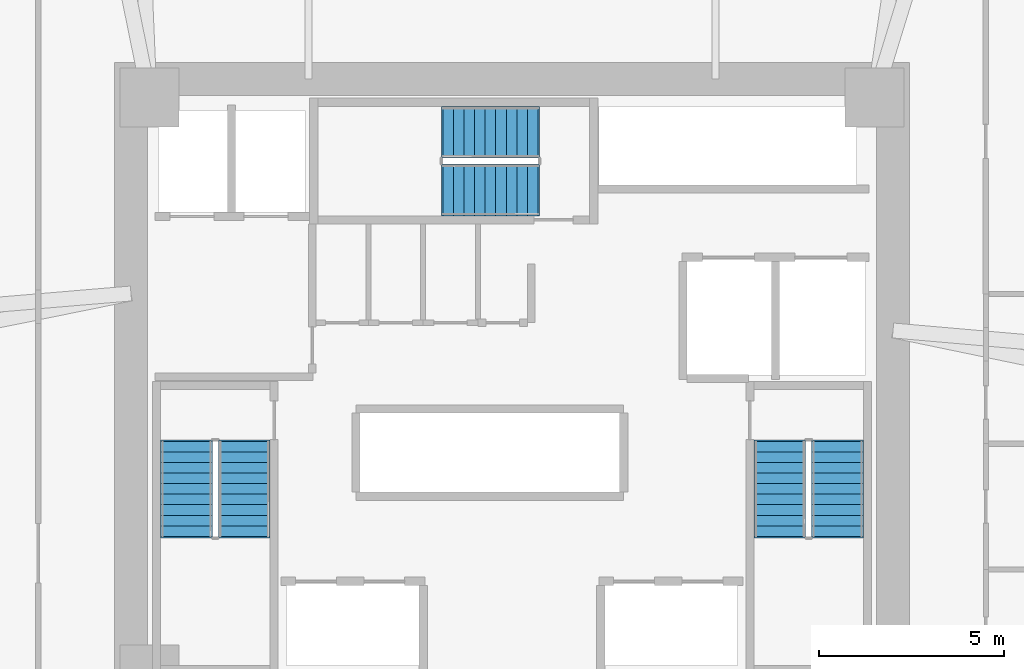
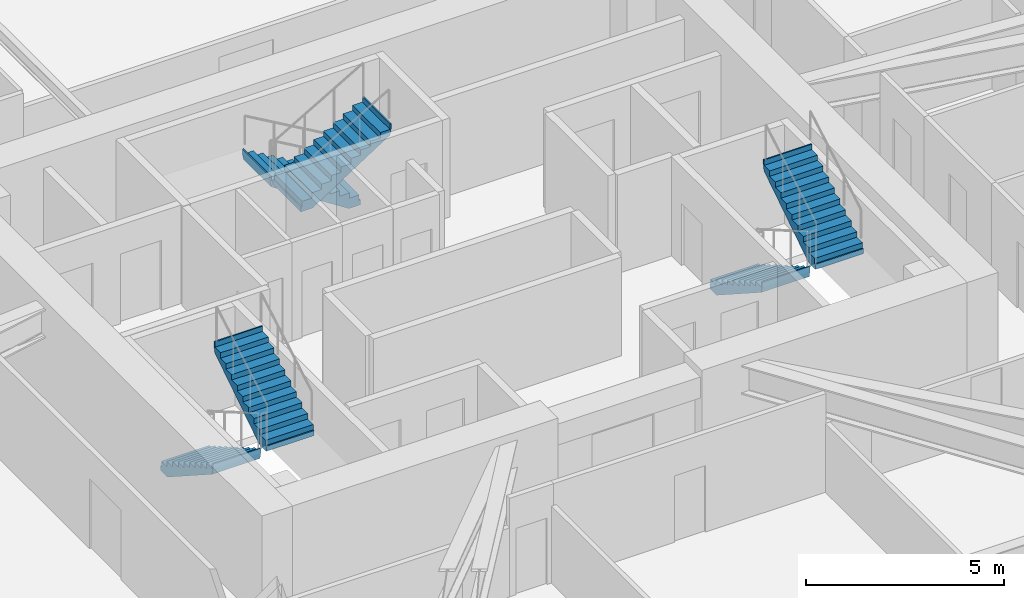
# One storey, part 14 of 15: 6 stair flights, 3 elements without a shape of their own.
"""IFC4 building model written with IfcOpenShell, lengths in metres."""

from ifc_helpers import new_model, si_unit, direction, frame, origin, place, context, subcontext, project, spatial, polyline, outline, extrude, material, type_object, element, aggregate, save


model = new_model("IFC4")

# Units and contexts
model_context = context("Model", 3, precision=1e-05, world=origin(), true_north=direction((0.0, 1.0)))
body_context = subcontext(model_context, "Body", "Model", "MODEL_VIEW")
ifc_project = project(units=[si_unit("LENGTHUNIT", "METRE"), si_unit("AREAUNIT", "SQUARE_METRE"), si_unit("VOLUMEUNIT", "CUBIC_METRE"), si_unit("PLANEANGLEUNIT", "RADIAN"), si_unit("MASSUNIT", "GRAM", prefix="KILO")], contexts=[model_context])

# Site, building, storey
site_placement = place(None, origin())
site = spatial("IfcSite", under=ifc_project, at=site_placement, CompositionType="ELEMENT")
building_placement = place(site_placement, origin())
building = spatial("IfcBuilding", under=site, at=building_placement, Name="Durnholm Broadcast Tower", CompositionType="ELEMENT")
storey_placement = place(building_placement, frame((0.0, 0.0, 55.5)))
storey = spatial("IfcBuildingStorey", under=building, at=storey_placement, Name="L13", CompositionType="ELEMENT", Elevation=55.5)

# Stair, stair flights
ifc_material = material(Name="Concrete C50/60", Category="concrete")
stair_type = type_object("IfcStairType", Name="STAIR-DL-20R1650", PredefinedType="HALF_TURN_STAIR", material=ifc_material)
stair_1_placement = place(storey_placement, origin())
stair_1 = element("IfcStair", 1, at=stair_1_placement, inside=storey, type_object=stair_type, Name="L13 ST-1", PredefinedType="HALF_TURN_STAIR")
stair_flight_type = type_object("IfcStairFlightType", Name="FLIGHT-DL-20R1650", PredefinedType="STRAIGHT", material=ifc_material)
stair_flight_1_placement = place(storey_placement, frame((-8.800048828125, -1.5, 0.0), z_axis=(0.0, 0.0, 1.0), x_axis=(0.0, -1.0, 0.0)))
stair_flight_1 = element("IfcStairFlight", 2, at=stair_flight_1_placement, type_object=stair_flight_type, Name="ST-1 flight 1", NumberOfRisers=10, NumberOfTreads=9, PredefinedType="STRAIGHT", RiserHeight=0.165, TreadLength=0.285, context=body_context, shape_type="SweptSolid", body=[
    extrude(outline(polyline([(-0.0400390625, -0.14990234375), (-0.0400390625, 0.0), (0.0, 0.0), (0.0, 0.1650390625), (0.284912109375, 0.1650390625), (0.284912109375, 0.330078125), (0.570068359375, 0.330078125), (0.570068359375, 0.4951171875), (0.85498046875, 0.4951171875), (0.85498046875, 0.659912109375), (1.139892578125, 0.659912109375), (1.139892578125, 0.824951171875), (1.425048828125, 0.824951171875), (1.425048828125, 0.989990234375), (1.7099609375, 0.989990234375), (1.7099609375, 1.155029296875), (1.9951171875, 1.155029296875), (1.9951171875, 1.320068359375), (2.280029296875, 1.320068359375), (2.280029296875, 1.485107421875), (2.56494140625, 1.485107421875), (2.56494140625, 1.64990234375), (2.60498046875, 1.64990234375), (2.60498046875, 1.5), (2.56494140625, 1.311767578125), (0.299072265625, -0.14990234375), (-0.0400390625, -0.14990234375)])), frame((0.0, 0.699951171875, 0.0), z_axis=(0.0, -1.0, 0.0), x_axis=(1.0, 0.0, 0.0)), (0.0, 0.0, 1.0), 1.39990234375),
])
stair_flight_2_placement = place(storey_placement, frame((-7.239990234375, -4.06494140625, 1.64990234375), z_axis=(0.0, 0.0, 1.0), x_axis=(0.0, 1.0, 0.0)))
stair_flight_2 = element("IfcStairFlight", 3, at=stair_flight_2_placement, type_object=stair_flight_type, Name="ST-1 flight 2", NumberOfRisers=10, NumberOfTreads=9, PredefinedType="STRAIGHT", RiserHeight=0.165, TreadLength=0.285, context=body_context, shape_type="SweptSolid", body=[
    extrude(outline(polyline([(-0.0400390625, -0.14990234375), (-0.0400390625, 0.0), (0.0, 0.0), (0.0, 0.1650390625), (0.284912109375, 0.1650390625), (0.284912109375, 0.330078125), (0.570068359375, 0.330078125), (0.570068359375, 0.4951171875), (0.85498046875, 0.4951171875), (0.85498046875, 0.659912109375), (1.139892578125, 0.659912109375), (1.139892578125, 0.824951171875), (1.425048828125, 0.824951171875), (1.425048828125, 0.989990234375), (1.7099609375, 0.989990234375), (1.7099609375, 1.155029296875), (1.9951171875, 1.155029296875), (1.9951171875, 1.320068359375), (2.280029296875, 1.320068359375), (2.280029296875, 1.485107421875), (2.56494140625, 1.485107421875), (2.56494140625, 1.64990234375), (2.60498046875, 1.64990234375), (2.60498046875, 1.5), (2.56494140625, 1.311767578125), (0.299072265625, -0.14990234375), (-0.0400390625, -0.14990234375)])), frame((0.0, 0.699951171875, 0.0), z_axis=(0.0, -1.0, 0.0), x_axis=(1.0, 0.0, 0.0)), (0.0, 0.0, 1.0), 1.39990234375),
])
aggregate(stair_1, [stair_flight_1, stair_flight_2])

stair_2_placement = place(storey_placement, origin())
stair_2 = element("IfcStair", 4, at=stair_2_placement, inside=storey, type_object=stair_type, Name="L13 ST-2", PredefinedType="HALF_TURN_STAIR")
stair_flight_3_placement = place(storey_placement, frame((7.239990234375, -1.5, 0.0), z_axis=(0.0, 0.0, 1.0), x_axis=(0.0, -1.0, 0.0)))
stair_flight_3 = element("IfcStairFlight", 5, at=stair_flight_3_placement, type_object=stair_flight_type, Name="ST-2 flight 1", NumberOfRisers=10, NumberOfTreads=9, PredefinedType="STRAIGHT", RiserHeight=0.165, TreadLength=0.285, context=body_context, shape_type="SweptSolid", body=[
    extrude(outline(polyline([(-0.0400390625, -0.14990234375), (-0.0400390625, 0.0), (0.0, 0.0), (0.0, 0.1650390625), (0.284912109375, 0.1650390625), (0.284912109375, 0.330078125), (0.570068359375, 0.330078125), (0.570068359375, 0.4951171875), (0.85498046875, 0.4951171875), (0.85498046875, 0.659912109375), (1.139892578125, 0.659912109375), (1.139892578125, 0.824951171875), (1.425048828125, 0.824951171875), (1.425048828125, 0.989990234375), (1.7099609375, 0.989990234375), (1.7099609375, 1.155029296875), (1.9951171875, 1.155029296875), (1.9951171875, 1.320068359375), (2.280029296875, 1.320068359375), (2.280029296875, 1.485107421875), (2.56494140625, 1.485107421875), (2.56494140625, 1.64990234375), (2.60498046875, 1.64990234375), (2.60498046875, 1.5), (2.56494140625, 1.311767578125), (0.299072265625, -0.14990234375), (-0.0400390625, -0.14990234375)])), frame((0.0, 0.699951171875, 0.0), z_axis=(0.0, -1.0, 0.0), x_axis=(1.0, 0.0, 0.0)), (0.0, 0.0, 1.0), 1.39990234375),
])
stair_flight_4_placement = place(storey_placement, frame((8.800048828125, -4.06494140625, 1.64990234375), z_axis=(0.0, 0.0, 1.0), x_axis=(0.0, 1.0, 0.0)))
stair_flight_4 = element("IfcStairFlight", 6, at=stair_flight_4_placement, type_object=stair_flight_type, Name="ST-2 flight 2", NumberOfRisers=10, NumberOfTreads=9, PredefinedType="STRAIGHT", RiserHeight=0.165, TreadLength=0.285, context=body_context, shape_type="SweptSolid", body=[
    extrude(outline(polyline([(-0.0400390625, -0.14990234375), (-0.0400390625, 0.0), (0.0, 0.0), (0.0, 0.1650390625), (0.284912109375, 0.1650390625), (0.284912109375, 0.330078125), (0.570068359375, 0.330078125), (0.570068359375, 0.4951171875), (0.85498046875, 0.4951171875), (0.85498046875, 0.659912109375), (1.139892578125, 0.659912109375), (1.139892578125, 0.824951171875), (1.425048828125, 0.824951171875), (1.425048828125, 0.989990234375), (1.7099609375, 0.989990234375), (1.7099609375, 1.155029296875), (1.9951171875, 1.155029296875), (1.9951171875, 1.320068359375), (2.280029296875, 1.320068359375), (2.280029296875, 1.485107421875), (2.56494140625, 1.485107421875), (2.56494140625, 1.64990234375), (2.60498046875, 1.64990234375), (2.60498046875, 1.5), (2.56494140625, 1.311767578125), (0.299072265625, -0.14990234375), (-0.0400390625, -0.14990234375)])), frame((0.0, 0.699951171875, 0.0), z_axis=(0.0, -1.0, 0.0), x_axis=(1.0, 0.0, 0.0)), (0.0, 0.0, 1.0), 1.39990234375),
])
aggregate(stair_2, [stair_flight_3, stair_flight_4])

stair_3_placement = place(storey_placement, origin())
stair_3 = element("IfcStair", 7, at=stair_3_placement, inside=storey, type_object=stair_type, Name="L13 ST-3", PredefinedType="HALF_TURN_STAIR")
stair_flight_5_placement = place(storey_placement, frame((0.699951171875, 6.860107421875, 0.0), z_axis=(0.0, 0.0, 1.0), x_axis=(-1.0, 0.0, 0.0)))
stair_flight_5 = element("IfcStairFlight", 8, at=stair_flight_5_placement, type_object=stair_flight_type, Name="ST-3 flight 1", NumberOfRisers=10, NumberOfTreads=9, PredefinedType="STRAIGHT", RiserHeight=0.165, TreadLength=0.285, context=body_context, shape_type="SweptSolid", body=[
    extrude(outline(polyline([(-0.0400390625, -0.14990234375), (-0.0400390625, 0.0), (0.0, 0.0), (0.0, 0.1650390625), (0.284912109375, 0.1650390625), (0.284912109375, 0.330078125), (0.570068359375, 0.330078125), (0.570068359375, 0.4951171875), (0.85498046875, 0.4951171875), (0.85498046875, 0.659912109375), (1.139892578125, 0.659912109375), (1.139892578125, 0.824951171875), (1.425048828125, 0.824951171875), (1.425048828125, 0.989990234375), (1.7099609375, 0.989990234375), (1.7099609375, 1.155029296875), (1.9951171875, 1.155029296875), (1.9951171875, 1.320068359375), (2.280029296875, 1.320068359375), (2.280029296875, 1.485107421875), (2.56494140625, 1.485107421875), (2.56494140625, 1.64990234375), (2.60498046875, 1.64990234375), (2.60498046875, 1.5), (2.56494140625, 1.311767578125), (0.299072265625, -0.14990234375), (-0.0400390625, -0.14990234375)])), frame((0.0, 0.699951171875, 0.0), z_axis=(0.0, -1.0, 0.0), x_axis=(1.0, 0.0, 0.0)), (0.0, 0.0, 1.0), 1.39990234375),
])
stair_flight_6_placement = place(storey_placement, frame((-1.864990234375, 5.300048828125, 1.64990234375), z_axis=(0.0, 0.0, 1.0), x_axis=(1.0, 0.0, 0.0)))
stair_flight_6 = element("IfcStairFlight", 9, at=stair_flight_6_placement, type_object=stair_flight_type, Name="ST-3 flight 2", NumberOfRisers=10, NumberOfTreads=9, PredefinedType="STRAIGHT", RiserHeight=0.165, TreadLength=0.285, context=body_context, shape_type="SweptSolid", body=[
    extrude(outline(polyline([(-0.0400390625, -0.14990234375), (-0.0400390625, 0.0), (0.0, 0.0), (0.0, 0.1650390625), (0.284912109375, 0.1650390625), (0.284912109375, 0.330078125), (0.570068359375, 0.330078125), (0.570068359375, 0.4951171875), (0.85498046875, 0.4951171875), (0.85498046875, 0.659912109375), (1.139892578125, 0.659912109375), (1.139892578125, 0.824951171875), (1.425048828125, 0.824951171875), (1.425048828125, 0.989990234375), (1.7099609375, 0.989990234375), (1.7099609375, 1.155029296875), (1.9951171875, 1.155029296875), (1.9951171875, 1.320068359375), (2.280029296875, 1.320068359375), (2.280029296875, 1.485107421875), (2.56494140625, 1.485107421875), (2.56494140625, 1.64990234375), (2.60498046875, 1.64990234375), (2.60498046875, 1.5), (2.56494140625, 1.311767578125), (0.299072265625, -0.14990234375), (-0.0400390625, -0.14990234375)])), frame((0.0, 0.699951171875, 0.0), z_axis=(0.0, -1.0, 0.0), x_axis=(1.0, 0.0, 0.0)), (0.0, 0.0, 1.0), 1.39990234375),
])
aggregate(stair_3, [stair_flight_5, stair_flight_6])

save(model, "model.ifc")
